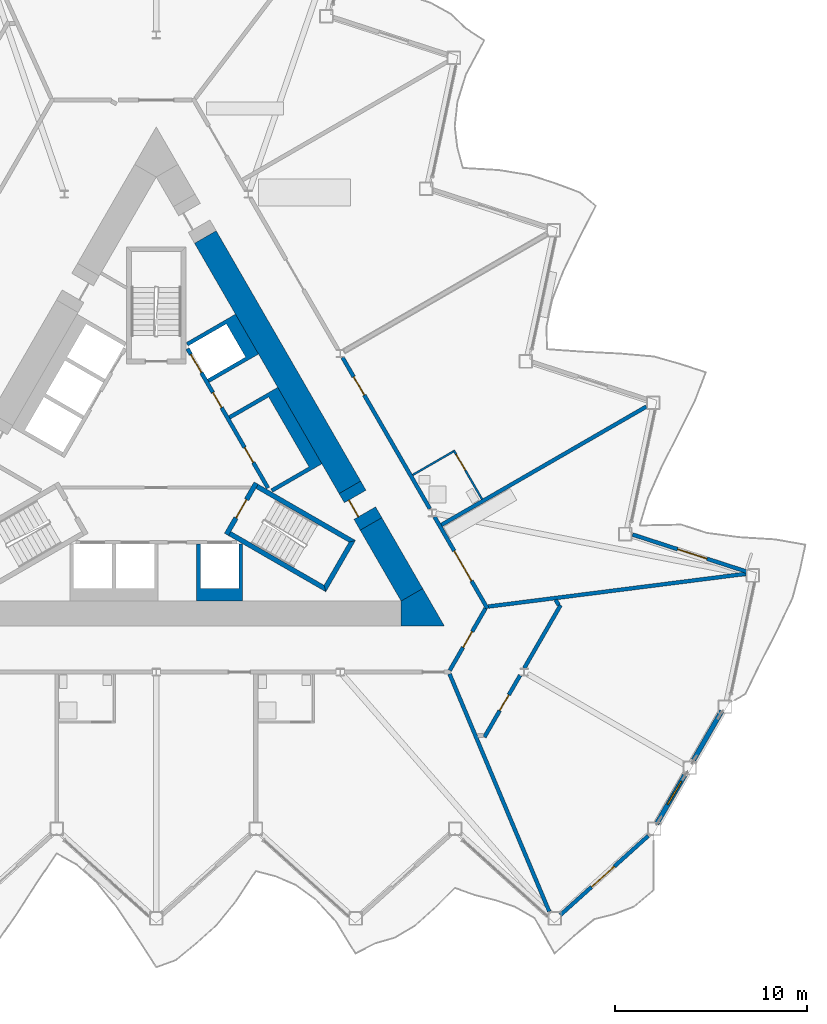
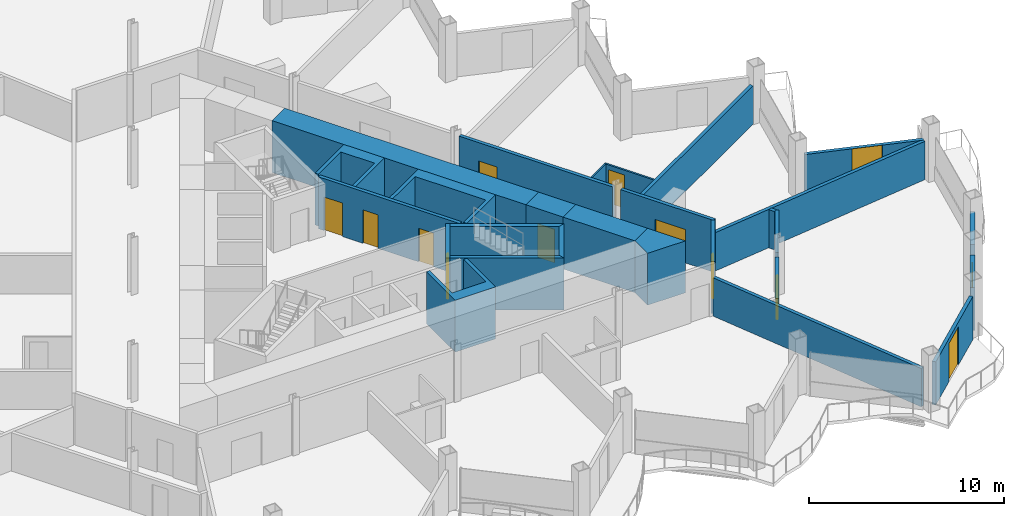
# One storey, part 13 of 23: 27 walls, 12 doors, 1 window, 13 openings.
"""IFC4 building model written with IfcOpenShell, lengths in metres."""

from ifc_helpers import new_model, si_unit, direction, frame, frame_2d, origin, place, context, subcontext, project, spatial, polyline, rectangle, outline, extrude, material, layer, layer_set, type_object, element, fill, save


model = new_model("IFC4")

# Units and contexts
model_context = context("Model", 3, precision=1e-05, world=origin(), true_north=direction((0.0, 1.0)))
body_context = subcontext(model_context, "Body", "Model", "MODEL_VIEW")
ifc_project = project(units=[si_unit("LENGTHUNIT", "METRE"), si_unit("AREAUNIT", "SQUARE_METRE"), si_unit("VOLUMEUNIT", "CUBIC_METRE"), si_unit("PLANEANGLEUNIT", "RADIAN"), si_unit("MASSUNIT", "GRAM", prefix="KILO")], contexts=[model_context])

# Site, building, storey
site_placement = place(None, origin())
site = spatial("IfcSite", under=ifc_project, at=site_placement, CompositionType="ELEMENT")
building_placement = place(site_placement, origin())
building = spatial("IfcBuilding", under=site, at=building_placement, Name="Cormorant Prow Tower", CompositionType="ELEMENT")
storey_placement = place(building_placement, frame((0.0, 0.0, 267.0)))
storey = spatial("IfcBuildingStorey", under=building, at=storey_placement, Name="L60", CompositionType="ELEMENT", Elevation=267.0)

# Walls
ifc_material_1 = material(Name="Concrete 8000 psi", Category="concrete")
ifc_layer_1 = layer(ifc_material_1, 1.300048828125)
ifc_layer_set_1 = layer_set([ifc_layer_1], Name="Concrete 8000 psi")
wall_type_1 = type_object("IfcWallType", Name="Core shear wall 1300", PredefinedType="SHEAR", material=ifc_layer_set_1)
wall_1_placement = place(storey_placement, frame((10.081298828125, -1.440673828125, 0.0), z_axis=(0.0, 0.0, 1.0), x_axis=(-0.500012180433, 0.866018371294, 0.0)))
element("IfcWall", 1, at=wall_1_placement, inside=storey, type_object=wall_type_1, Name="Core wall", PredefinedType="SHEAR", context=body_context, shape_type="SweptSolid", body=[
    extrude(rectangle(XDim=15.05029296875, YDim=1.300048828125, at=frame_2d((7.525146484375, 0.0))), origin(), (0.0, 0.0, 1.0), 3.25),
])
wall_2_placement = place(storey_placement, frame((13.311279296875, -7.035400390625, 0.0), z_axis=(0.0, 0.0, 1.0), x_axis=(-0.500003555838, 0.866023350811, 0.0)))
element("IfcWall", 2, at=wall_2_placement, inside=storey, type_object=wall_type_1, Name="Core wall", PredefinedType="SHEAR", context=body_context, shape_type="SweptSolid", body=[
    extrude(rectangle(XDim=4.26025390625, YDim=1.300048828125, at=frame_2d((2.130126953125, 0.0))), origin(), (0.0, 0.0, 1.0), 3.25),
])
wall_3_placement = place(storey_placement, origin())
element("IfcWall", 3, at=wall_3_placement, inside=storey, type_object=wall_type_1, Name="Core wall corner", PredefinedType="SHEAR", context=body_context, shape_type="SweptSolid", body=[
    extrude(outline(polyline([(12.748291015625, -8.660400390625), (12.748291015625, -7.3603515625), (13.874267578125, -6.710205078125), (15.0, -8.660400390625), (12.748291015625, -8.660400390625)])), origin(), (0.0, 0.0, 1.0), 3.25),
])

# Wall, opening, door
wall_4_placement = place(storey_placement, frame((11.18115234375, -3.345947265625, 0.0), z_axis=(0.0, 0.0, 1.0), x_axis=(-0.499946605688, 0.86605622881, 0.0)))
wall_4 = element("IfcWall", 4, at=wall_4_placement, inside=storey, type_object=wall_type_1, Name="Core wall door panel", PredefinedType="SHEAR", context=body_context, shape_type="SweptSolid", body=[
    extrude(rectangle(XDim=2.199951171875, YDim=1.300048828125, at=frame_2d((1.10009765625, 0.0))), origin(), (0.0, 0.0, 1.0), 3.25),
])
opening_1_placement = place(wall_4_placement, frame((0.64990234375, 0.0, 0.0)))
opening_1 = element("IfcOpeningElement", 5, at=opening_1_placement, cuts=wall_4, Name="Opening L60-C15", PredefinedType="OPENING", context=body_context, shape_type="SweptSolid", body=[
    extrude(rectangle(XDim=1.0, YDim=2.10009765625, at=frame_2d((0.5, 1.050048828125))), frame((0.0, 0.659912109375, 0.0), z_axis=(0.0, -1.0, 0.0), x_axis=(1.0, 0.0, 0.0)), (0.0, 0.0, 1.0), 1.320068359375),
])
ifc_material_2 = material(Name="Painted steel", Category="steel")
door_type_1 = type_object("IfcDoorType", Name="Service door 1000x2100", OperationType="NOTDEFINED", PredefinedType="DOOR", material=ifc_material_2)
door_1_placement = place(opening_1_placement, origin())
door_1 = element("IfcDoor", 6, at=door_1_placement, inside=storey, type_object=door_type_1, Name="Core door, Electrical room", OperationType="SINGLE_SWING_LEFT", OverallHeight=2.10009765625, OverallWidth=1.0, PredefinedType="DOOR", context=body_context, shape_type="SweptSolid", body=[
    extrude(rectangle(XDim=1.0, YDim=2.10009765625, at=frame_2d((0.5, 1.050048828125))), frame((0.0, 0.40478515625, 0.0), z_axis=(0.0, -1.0, 0.0), x_axis=(1.0, 0.0, 0.0)), (0.0, 0.0, 1.0), 0.050048828125),
])
fill(opening_1, door_1)

ifc_material_3 = material(Name="Gypsum board corridor wall")
ifc_layer_2 = layer(ifc_material_3, 0.199951171875)
ifc_layer_set_2 = layer_set([ifc_layer_2], Name="Gypsum board corridor wall")
wall_type_2 = type_object("IfcWallType", Name="Corridor wall 200", PredefinedType="PARTITIONING", material=ifc_layer_set_2)
wall_5_placement = place(storey_placement, frame((9.699462890625, 5.320556640625, 0.0), z_axis=(0.0, 0.0, 1.0), x_axis=(0.49998193945, -0.866035830797, 0.0)))
wall_5 = element("IfcWall", 7, at=wall_5_placement, inside=storey, type_object=wall_type_2, Name="Corridor wall", PredefinedType="PARTITIONING", context=body_context, shape_type="SweptSolid", body=[
    extrude(rectangle(XDim=9.094482421875, YDim=0.199951171875, at=frame_2d((4.54736328125, 0.0))), origin(), (0.0, 0.0, 1.0), 3.25),
])
opening_2_placement = place(wall_5_placement, frame((1.16162109375, 0.0, 0.0)))
opening_2 = element("IfcOpeningElement", 8, at=opening_2_placement, cuts=wall_5, Name="Opening L60-F09", PredefinedType="OPENING", context=body_context, shape_type="SweptSolid", body=[
    extrude(rectangle(XDim=1.10009765625, YDim=2.10009765625, at=frame_2d((0.550048828125, 1.050048828125))), frame((0.0, 0.10986328125, 0.0), z_axis=(0.0, -1.0, 0.0), x_axis=(1.0, 0.0, 0.0)), (0.0, 0.0, 1.0), 0.219970703125),
])
ifc_material_4 = material(Name="Timber door leaf", Category="wood")
door_type_2 = type_object("IfcDoorType", Name="Suite entrance door 1100x2100", OperationType="NOTDEFINED", PredefinedType="DOOR", material=ifc_material_4)
door_2_placement = place(opening_2_placement, origin())
door_2 = element("IfcDoor", 9, at=door_2_placement, inside=storey, type_object=door_type_2, Name="Junior suite door", OperationType="SINGLE_SWING_RIGHT", OverallHeight=2.10009765625, OverallWidth=1.10009765625, PredefinedType="DOOR", context=body_context, shape_type="SweptSolid", body=[
    extrude(rectangle(XDim=1.10009765625, YDim=2.10009765625, at=frame_2d((0.550048828125, 1.050048828125))), frame((0.0, 0.02490234375, 0.0), z_axis=(0.0, -1.0, 0.0), x_axis=(1.0, 0.0, 0.0)), (0.0, 0.0, 1.0), 0.050048828125),
])
fill(opening_2, door_2)

wall_6_placement = place(storey_placement, frame((14.488525390625, -2.974609375, 0.0), z_axis=(0.0, 0.0, 1.0), x_axis=(0.500017753321, -0.866015153657, 0.0)))
wall_6 = element("IfcWall", 10, at=wall_6_placement, inside=storey, type_object=wall_type_2, Name="Corridor wall", PredefinedType="PARTITIONING", context=body_context, shape_type="SweptSolid", body=[
    extrude(rectangle(XDim=5.510498046875, YDim=0.199951171875, at=frame_2d((2.75537109375, 0.0))), origin(), (0.0, 0.0, 1.0), 3.25),
])
opening_3_placement = place(wall_6_placement, frame((2.055908203125, 0.0, 0.0)))
opening_3 = element("IfcOpeningElement", 11, at=opening_3_placement, cuts=wall_6, Name="Opening L60-F08", PredefinedType="OPENING", context=body_context, shape_type="SweptSolid", body=[
    extrude(rectangle(XDim=1.800048828125, YDim=2.10009765625, at=frame_2d((0.89990234375, 1.050048828125))), frame((0.0, 0.10986328125, 0.0), z_axis=(0.0, -1.0, 0.0), x_axis=(1.0, 0.0, 0.0)), (0.0, 0.0, 1.0), 0.219970703125),
])
ifc_material_5 = material(Name="Timber door leaf", Category="wood")
door_type_3 = type_object("IfcDoorType", Name="Double door 1800x2100", OperationType="DOUBLE_DOOR_SINGLE_SWING", PredefinedType="DOOR", material=ifc_material_5)
door_3_placement = place(opening_3_placement, origin())
door_3 = element("IfcDoor", 12, at=door_3_placement, inside=storey, type_object=door_type_3, Name="Fitness room door", OperationType="DOUBLE_DOOR_SINGLE_SWING", OverallHeight=2.10009765625, OverallWidth=1.800048828125, PredefinedType="DOOR", context=body_context, shape_type="SweptSolid", body=[
    extrude(rectangle(XDim=1.800048828125, YDim=2.10009765625, at=frame_2d((0.89990234375, 1.050048828125))), frame((0.0, 0.02490234375, 0.0), z_axis=(0.0, -1.0, 0.0), x_axis=(1.0, 0.0, 0.0)), (0.0, 0.0, 1.0), 0.050048828125),
])
fill(opening_3, door_3)

wall_7_placement = place(storey_placement, frame((15.281005859375, -10.9736328125, 0.0), z_axis=(0.0, 0.0, 1.0), x_axis=(0.499958791762, 0.866049194065, 0.0)))
wall_7 = element("IfcWall", 13, at=wall_7_placement, inside=storey, type_object=wall_type_2, Name="Corridor wall", PredefinedType="PARTITIONING", context=body_context, shape_type="SweptSolid", body=[
    extrude(rectangle(XDim=3.725830078125, YDim=0.199951171875, at=frame_2d((1.86279296875, 0.0))), origin(), (0.0, 0.0, 1.0), 3.25),
])
opening_4_placement = place(wall_7_placement, frame((1.387939453125, 0.0, 0.0)))
opening_4 = element("IfcOpeningElement", 14, at=opening_4_placement, cuts=wall_7, Name="Opening L60-F06", PredefinedType="OPENING", context=body_context, shape_type="SweptSolid", body=[
    extrude(rectangle(XDim=0.949951171875, YDim=2.10009765625, at=frame_2d((0.47509765625, 1.050048828125))), frame((0.0, 0.10986328125, 0.0), z_axis=(0.0, -1.0, 0.0), x_axis=(1.0, 0.0, 0.0)), (0.0, 0.0, 1.0), 0.219970703125),
])
ifc_material_6 = material(Name="Timber door leaf", Category="wood")
door_type_4 = type_object("IfcDoorType", Name="Store door 950x2100", OperationType="NOTDEFINED", PredefinedType="DOOR", material=ifc_material_6)
door_4_placement = place(opening_4_placement, origin())
door_4 = element("IfcDoor", 15, at=door_4_placement, inside=storey, type_object=door_type_4, Name="Housekeeping room door", OperationType="SINGLE_SWING_LEFT", OverallHeight=2.10009765625, OverallWidth=0.949951171875, PredefinedType="DOOR", context=body_context, shape_type="SweptSolid", body=[
    extrude(rectangle(XDim=0.949951171875, YDim=2.10009765625, at=frame_2d((0.47509765625, 1.050048828125))), frame((0.0, 0.02490234375, 0.0), z_axis=(0.0, -1.0, 0.0), x_axis=(1.0, 0.0, 0.0)), (0.0, 0.0, 1.0), 0.050048828125),
])
fill(opening_4, door_4)

# Walls
ifc_material_7 = material(Name="Gypsum board demising wall")
ifc_layer_3 = layer(ifc_material_7, 0.199951171875)
ifc_layer_set_3 = layer_set([ifc_layer_3], Name="Gypsum board demising wall")
wall_type_3 = type_object("IfcWallType", Name="Demising wall 200", PredefinedType="PARTITIONING", material=ifc_layer_set_3)
wall_8_placement = place(storey_placement, frame((17.293212890625, -7.647705078125, 0.0), z_axis=(0.0, 0.0, 1.0), x_axis=(0.992013080374, 0.126135040205, 0.0)))
element("IfcWall", 16, at=wall_8_placement, inside=storey, type_object=wall_type_3, Name="Demising wall", PredefinedType="PARTITIONING", context=body_context, shape_type="SweptSolid", body=[
    extrude(rectangle(XDim=13.517822265625, YDim=0.199951171875, at=frame_2d((6.7587890625, 0.0))), origin(), (0.0, 0.0, 1.0), 2.404296875),
])
wall_9_placement = place(storey_placement, frame((15.26953125, -11.152587890625, 0.0), z_axis=(0.0, 0.0, 1.0), x_axis=(0.386788567553, -0.922168424969, 0.0)))
element("IfcWall", 17, at=wall_9_placement, inside=storey, type_object=wall_type_3, Name="Demising wall", PredefinedType="PARTITIONING", context=body_context, shape_type="SweptSolid", body=[
    extrude(rectangle(XDim=13.418701171875, YDim=0.199951171875, at=frame_2d((6.70947265625, 0.0))), origin(), (0.0, 0.0, 1.0), 2.404296875),
])
wall_10_placement = place(storey_placement, frame((14.84765625, -3.396484375, 0.0), z_axis=(0.0, 0.0, 1.0), x_axis=(0.866026822589, 0.49999754255, 0.0)))
element("IfcWall", 18, at=wall_10_placement, inside=storey, type_object=wall_type_3, Name="Demising wall", PredefinedType="PARTITIONING", context=body_context, shape_type="SweptSolid", body=[
    extrude(rectangle(XDim=12.3173828125, YDim=0.199951171875, at=frame_2d((6.15869140625, 0.0))), origin(), (0.0, 0.0, 1.0), 2.404296875),
])
wall_11_placement = place(storey_placement, frame((19.162353515625, -10.850830078125, 0.0), z_axis=(0.0, 0.0, 1.0), x_axis=(0.500011000363, 0.866019052629, 0.0)))
element("IfcWall", 19, at=wall_11_placement, inside=storey, type_object=wall_type_3, Name="Demising wall", PredefinedType="PARTITIONING", context=body_context, shape_type="SweptSolid", body=[
    extrude(rectangle(XDim=3.7841796875, YDim=0.199951171875, at=frame_2d((1.89208984375, 0.0))), origin(), (0.0, 0.0, 1.0), 2.404296875),
])

# Wall, opening, door
wall_12_placement = place(storey_placement, frame((17.086181640625, -14.447021484375, 0.0), z_axis=(0.0, 0.0, 1.0), x_axis=(0.500004411858, 0.866022856582, 0.0)))
wall_12 = element("IfcWall", 20, at=wall_12_placement, inside=storey, type_object=wall_type_3, Name="Demising wall", PredefinedType="PARTITIONING", context=body_context, shape_type="SweptSolid", body=[
    extrude(rectangle(XDim=3.72265625, YDim=0.199951171875, at=frame_2d((1.861328125, 0.0))), origin(), (0.0, 0.0, 1.0), 2.404296875),
])
opening_5_placement = place(wall_12_placement, frame((1.5927734375, 0.0, 0.0)))
opening_5 = element("IfcOpeningElement", 21, at=opening_5_placement, cuts=wall_12, Name="Opening L60-F07", PredefinedType="OPENING", context=body_context, shape_type="SweptSolid", body=[
    extrude(rectangle(XDim=0.949951171875, YDim=2.10009765625, at=frame_2d((0.47509765625, 1.050048828125))), frame((0.0, 0.10986328125, 0.0), z_axis=(0.0, -1.0, 0.0), x_axis=(1.0, 0.0, 0.0)), (0.0, 0.0, 1.0), 0.219970703125),
])
door_5_placement = place(opening_5_placement, origin())
door_5 = element("IfcDoor", 22, at=door_5_placement, inside=storey, type_object=door_type_4, Name="Linen store door", OperationType="SINGLE_SWING_LEFT", OverallHeight=2.10009765625, OverallWidth=0.949951171875, PredefinedType="DOOR", context=body_context, shape_type="SweptSolid", body=[
    extrude(rectangle(XDim=0.949951171875, YDim=2.10009765625, at=frame_2d((0.47509765625, 1.050048828125))), frame((0.0, 0.02490234375, 0.0), z_axis=(0.0, -1.0, 0.0), x_axis=(1.0, 0.0, 0.0)), (0.0, 0.0, 1.0), 0.050048828125),
])
fill(opening_5, door_5)

# Wall
wall_13_placement = place(storey_placement, frame((20.793701171875, -7.29541015625, 0.0), z_axis=(0.0, 0.0, 1.0), x_axis=(0.499897828833, -0.8660843843, 0.0)))
element("IfcWall", 23, at=wall_13_placement, inside=storey, type_object=wall_type_3, Name="Demising wall", PredefinedType="PARTITIONING", context=body_context, shape_type="SweptSolid", body=[
    extrude(rectangle(XDim=0.3212890625, YDim=0.199951171875, at=frame_2d((0.16064453125, 0.0))), origin(), (0.0, 0.0, 1.0), 2.404296875),
])

# Wall, opening, door
ifc_material_8 = material(Name="Gypsum board partition")
ifc_layer_4 = layer(ifc_material_8, 0.10009765625)
ifc_layer_set_4 = layer_set([ifc_layer_4], Name="Gypsum board partition")
wall_type_4 = type_object("IfcWallType", Name="Internal partition 100", PredefinedType="PARTITIONING", material=ifc_layer_set_4)
wall_14_placement = place(storey_placement, frame((15.48779296875, 0.494873046875, 0.0), z_axis=(0.0, 0.0, 1.0), x_axis=(0.500037662692, -0.866003658127, 0.0)))
wall_14 = element("IfcWall", 24, at=wall_14_placement, inside=storey, type_object=wall_type_4, Name="Internal partition", PredefinedType="PARTITIONING", context=body_context, shape_type="SweptSolid", body=[
    extrude(rectangle(XDim=2.949951171875, YDim=0.10009765625, at=frame_2d((1.47509765625, 0.0))), origin(), (0.0, 0.0, 1.0), 2.404296875),
])
opening_6_placement = place(wall_14_placement, frame((0.25, 0.0, 0.0)))
opening_6 = element("IfcOpeningElement", 25, at=opening_6_placement, cuts=wall_14, Name="Opening L60-F10", PredefinedType="OPENING", context=body_context, shape_type="SweptSolid", body=[
    extrude(rectangle(XDim=0.949951171875, YDim=2.10009765625, at=frame_2d((0.47509765625, 1.050048828125))), frame((0.0, 0.06005859375, 0.0), z_axis=(0.0, -1.0, 0.0), x_axis=(1.0, 0.0, 0.0)), (0.0, 0.0, 1.0), 0.1201171875),
])
ifc_material_9 = material(Name="Timber door leaf", Category="wood")
door_type_5 = type_object("IfcDoorType", Name="Bathroom door 950x2100", OperationType="NOTDEFINED", PredefinedType="DOOR", material=ifc_material_9)
door_6_placement = place(opening_6_placement, origin())
door_6 = element("IfcDoor", 26, at=door_6_placement, inside=storey, type_object=door_type_5, Name="Junior suite door", OperationType="SINGLE_SWING_LEFT", OverallHeight=2.10009765625, OverallWidth=0.949951171875, PredefinedType="DOOR", context=body_context, shape_type="SweptSolid", body=[
    extrude(rectangle(XDim=0.949951171875, YDim=2.10009765625, at=frame_2d((0.47509765625, 1.050048828125))), frame((0.0, 0.02490234375, 0.0), z_axis=(0.0, -1.0, 0.0), x_axis=(1.0, 0.0, 0.0)), (0.0, 0.0, 1.0), 0.050048828125),
])
fill(opening_6, door_6)

# Wall
wall_15_placement = place(storey_placement, frame((13.34765625, -0.798583984375, 0.0), z_axis=(0.0, 0.0, 1.0), x_axis=(0.866014668023, 0.500018594424, 0.0)))
element("IfcWall", 27, at=wall_15_placement, inside=storey, type_object=wall_type_4, Name="Internal partition", PredefinedType="PARTITIONING", context=body_context, shape_type="SweptSolid", body=[
    extrude(rectangle(XDim=2.4501953125, YDim=0.10009765625, at=frame_2d((1.22509765625, 0.0))), origin(), (0.0, 0.0, 1.0), 2.404296875),
])

# Wall, openings, doors
ifc_material_10 = material(Name="Concrete 5000 psi", Category="concrete")
ifc_layer_5 = layer(ifc_material_10, 0.199951171875)
ifc_layer_set_5 = layer_set([ifc_layer_5], Name="Concrete 5000 psi")
wall_type_5 = type_object("IfcWallType", Name="Lift lobby wall 200", PredefinedType="SOLIDWALL", material=ifc_layer_set_5)
wall_16_placement = place(storey_placement, frame((5.817138671875, -1.4755859375, 0.0), z_axis=(0.0, 0.0, 1.0), x_axis=(-0.500002616675, 0.866023893041, 0.0)))
wall_16 = element("IfcWall", 28, at=wall_16_placement, inside=storey, type_object=wall_type_5, Name="Lift lobby wall, ENE block", PredefinedType="SOLIDWALL", context=body_context, shape_type="SweptSolid", body=[
    extrude(rectangle(XDim=8.373046875, YDim=0.199951171875, at=frame_2d((4.1865234375, 0.0))), origin(), (0.0, 0.0, 1.0), 3.25),
])
opening_7_placement = place(wall_16_placement, frame((1.53662109375, 0.0, 0.0)))
opening_7 = element("IfcOpeningElement", 29, at=opening_7_placement, cuts=wall_16, Name="Opening L60-C05", PredefinedType="OPENING", context=body_context, shape_type="SweptSolid", body=[
    extrude(rectangle(XDim=0.89990234375, YDim=2.10009765625, at=frame_2d((0.449951171875, 1.050048828125))), frame((0.0, 0.10986328125, 0.0), z_axis=(0.0, -1.0, 0.0), x_axis=(1.0, 0.0, 0.0)), (0.0, 0.0, 1.0), 0.219970703125),
])
opening_8_placement = place(wall_16_placement, frame((4.836669921875, 0.0, 0.0)))
opening_8 = element("IfcOpeningElement", 30, at=opening_8_placement, cuts=wall_16, Name="Opening L60-C06", PredefinedType="OPENING", context=body_context, shape_type="SweptSolid", body=[
    extrude(rectangle(XDim=0.89990234375, YDim=2.10009765625, at=frame_2d((0.449951171875, 1.050048828125))), frame((0.0, 0.10986328125, 0.0), z_axis=(0.0, -1.0, 0.0), x_axis=(1.0, 0.0, 0.0)), (0.0, 0.0, 1.0), 0.219970703125),
])
opening_9_placement = place(wall_16_placement, frame((6.9365234375, 0.0, 0.0)))
opening_9 = element("IfcOpeningElement", 31, at=opening_9_placement, cuts=wall_16, Name="Opening L60-C07", PredefinedType="OPENING", context=body_context, shape_type="SweptSolid", body=[
    extrude(rectangle(XDim=1.10009765625, YDim=2.10009765625, at=frame_2d((0.550048828125, 1.050048828125))), frame((0.0, 0.10986328125, 0.0), z_axis=(0.0, -1.0, 0.0), x_axis=(1.0, 0.0, 0.0)), (0.0, 0.0, 1.0), 0.219970703125),
])
ifc_material_11 = material(Name="Painted steel", Category="steel")
door_type_6 = type_object("IfcDoorType", Name="Lift landing door 1100x2100", OperationType="SLIDING_TO_LEFT", PredefinedType="DOOR", material=ifc_material_11)
door_7_placement = place(opening_9_placement, origin())
door_7 = element("IfcDoor", 32, at=door_7_placement, inside=storey, type_object=door_type_6, Name="Landing door MR1", OperationType="SLIDING_TO_LEFT", OverallHeight=2.10009765625, OverallWidth=1.10009765625, PredefinedType="DOOR", context=body_context, shape_type="SweptSolid", body=[
    extrude(rectangle(XDim=1.10009765625, YDim=2.10009765625, at=frame_2d((0.550048828125, 1.050048828125))), frame((0.0, 0.02490234375, 0.0), z_axis=(0.0, -1.0, 0.0), x_axis=(1.0, 0.0, 0.0)), (0.0, 0.0, 1.0), 0.050048828125),
])
fill(opening_9, door_7)
ifc_material_12 = material(Name="Painted steel", Category="steel")
door_type_7 = type_object("IfcDoorType", Name="Service door 900x2100", OperationType="NOTDEFINED", PredefinedType="DOOR", material=ifc_material_12)
door_8_placement = place(opening_7_placement, origin())
door_8 = element("IfcDoor", 33, at=door_8_placement, inside=storey, type_object=door_type_7, Name="Service door, Telecom room", OperationType="SINGLE_SWING_LEFT", OverallHeight=2.10009765625, OverallWidth=0.89990234375, PredefinedType="DOOR", context=body_context, shape_type="SweptSolid", body=[
    extrude(rectangle(XDim=0.89990234375, YDim=2.10009765625, at=frame_2d((0.449951171875, 1.050048828125))), frame((0.0, 0.02490234375, 0.0), z_axis=(0.0, -1.0, 0.0), x_axis=(1.0, 0.0, 0.0)), (0.0, 0.0, 1.0), 0.050048828125),
])
fill(opening_7, door_8)
door_9_placement = place(opening_8_placement, origin())
door_9 = element("IfcDoor", 34, at=door_9_placement, inside=storey, type_object=door_type_7, Name="Service door, Electrical room", OperationType="SINGLE_SWING_RIGHT", OverallHeight=2.10009765625, OverallWidth=0.89990234375, PredefinedType="DOOR", context=body_context, shape_type="SweptSolid", body=[
    extrude(rectangle(XDim=0.89990234375, YDim=2.10009765625, at=frame_2d((0.449951171875, 1.050048828125))), frame((0.0, 0.02490234375, 0.0), z_axis=(0.0, -1.0, 0.0), x_axis=(1.0, 0.0, 0.0)), (0.0, 0.0, 1.0), 0.050048828125),
])
fill(opening_8, door_9)

# Walls
ifc_material_13 = material(Name="Concrete 8000 psi", Category="concrete")
ifc_layer_6 = layer(ifc_material_13, 0.199951171875)
ifc_layer_set_6 = layer_set([ifc_layer_6], Name="Concrete 8000 psi")
wall_type_6 = type_object("IfcWallType", Name="Lift shaft wall 200", PredefinedType="SHEAR", material=ifc_layer_set_6)
wall_17_placement = place(storey_placement, origin())
element("IfcWall", 35, at=wall_17_placement, inside=storey, type_object=wall_type_6, Name="Lift shaft walls, S block", PredefinedType="SHEAR", context=body_context, shape_type="SweptSolid", body=[
    extrude(outline(polyline([(2.10009765625, -7.3603515625), (2.10009765625, -4.39990234375), (2.300048828125, -4.39990234375), (2.300048828125, -6.699951171875), (4.300048828125, -6.699951171875), (4.300048828125, -4.39990234375), (4.5, -4.39990234375), (4.5, -7.3603515625), (2.10009765625, -7.3603515625)])), origin(), (0.0, 0.0, 1.0), 3.25),
])
wall_18_placement = place(storey_placement, origin())
element("IfcWall", 36, at=wall_18_placement, inside=storey, type_object=wall_type_6, Name="Lift shaft walls, ENE block", PredefinedType="SHEAR", context=body_context, shape_type="SweptSolid", body=[
    extrude(outline(polyline([(6.32421875, 3.7666015625), (8.624267578125, -0.217041015625), (8.230712890625, -0.444091796875), (6.060546875, -1.697021484375), (5.96044921875, -1.52392578125), (7.952392578125, -0.373779296875), (5.852294921875, 3.263427734375), (3.860595703125, 2.11328125), (3.760498046875, 2.28662109375), (5.930908203125, 3.53955078125), (6.32421875, 3.7666015625)])), origin(), (0.0, 0.0, 1.0), 3.25),
])
wall_19_placement = place(storey_placement, origin())
element("IfcWall", 37, at=wall_19_placement, inside=storey, type_object=wall_type_6, Name="Lift shaft walls, ENE block", PredefinedType="SHEAR", context=body_context, shape_type="SweptSolid", body=[
    extrude(outline(polyline([(5.32421875, 5.498779296875), (4.930908203125, 5.271728515625), (2.760498046875, 4.018798828125), (2.660400390625, 4.19189453125), (4.65234375, 5.341796875), (3.65234375, 7.073974609375), (1.660400390625, 5.923828125), (1.560546875, 6.09716796875), (3.730712890625, 7.35009765625), (4.124267578125, 7.5771484375), (5.32421875, 5.498779296875)])), origin(), (0.0, 0.0, 1.0), 3.25),
])
ifc_material_14 = material(Name="Concrete 8000 psi", Category="concrete")
ifc_layer_7 = layer(ifc_material_14, 0.25)
ifc_layer_set_7 = layer_set([ifc_layer_7], Name="Concrete 8000 psi")
wall_type_7 = type_object("IfcWallType", Name="Stair wall 250", PredefinedType="SHEAR", material=ifc_layer_set_7)
wall_20_placement = place(storey_placement, origin())
element("IfcWall", 38, at=wall_20_placement, inside=storey, type_object=wall_type_7, Name="Stair ST2 enclosure wall (flank)", PredefinedType="SHEAR", context=body_context, shape_type="SweptSolid", body=[
    extrude(outline(polyline([(3.76318359375, -3.95556640625), (8.82958984375, -6.880615234375), (8.738037109375, -6.5390625), (3.88818359375, -3.739013671875), (3.76318359375, -3.95556640625)])), origin(), (0.0, 0.0, 1.0), 3.25),
])
wall_21_placement = place(storey_placement, origin())
element("IfcWall", 39, at=wall_21_placement, inside=storey, type_object=wall_type_7, Name="Stair ST2 enclosure wall (end)", PredefinedType="SHEAR", context=body_context, shape_type="SweptSolid", body=[
    extrude(outline(polyline([(8.82958984375, -6.880615234375), (10.37353515625, -4.206298828125), (10.031982421875, -4.2978515625), (8.738037109375, -6.5390625), (8.82958984375, -6.880615234375)])), origin(), (0.0, 0.0, 1.0), 3.25),
])
wall_22_placement = place(storey_placement, origin())
element("IfcWall", 40, at=wall_22_placement, inside=storey, type_object=wall_type_7, Name="Stair ST2 enclosure wall (flank)", PredefinedType="SHEAR", context=body_context, shape_type="SweptSolid", body=[
    extrude(outline(polyline([(10.031982421875, -4.2978515625), (10.37353515625, -4.206298828125), (5.30712890625, -1.28125), (5.18212890625, -1.497802734375), (10.031982421875, -4.2978515625)])), origin(), (0.0, 0.0, 1.0), 3.25),
])

# Wall, opening, door
wall_23_placement = place(storey_placement, frame((3.655029296875, -3.89306640625, 0.0), z_axis=(0.0, 0.0, 1.0), x_axis=(0.499982516597, 0.866035497597, 0.0)))
wall_23 = element("IfcWall", 41, at=wall_23_placement, inside=storey, type_object=wall_type_7, Name="Stair ST2 door wall", PredefinedType="SHEAR", context=body_context, shape_type="SweptSolid", body=[
    extrude(rectangle(XDim=3.087890625, YDim=0.25, at=frame_2d((1.5439453125, 0.0))), origin(), (0.0, 0.0, 1.0), 3.25),
])
opening_10_placement = place(wall_23_placement, frame((0.993896484375, 0.0, 0.0)))
opening_10 = element("IfcOpeningElement", 42, at=opening_10_placement, cuts=wall_23, Name="Opening L60-C12", PredefinedType="OPENING", context=body_context, shape_type="SweptSolid", body=[
    extrude(rectangle(XDim=1.10009765625, YDim=2.10009765625, at=frame_2d((0.550048828125, 1.050048828125))), frame((0.0, 0.135009765625, 0.0), z_axis=(0.0, -1.0, 0.0), x_axis=(1.0, 0.0, 0.0)), (0.0, 0.0, 1.0), 0.27001953125),
])
ifc_material_15 = material(Name="Painted steel", Category="steel")
door_type_8 = type_object("IfcDoorType", Name="Stair door 1100x2100", OperationType="NOTDEFINED", PredefinedType="DOOR", material=ifc_material_15)
door_10_placement = place(opening_10_placement, origin())
door_10 = element("IfcDoor", 43, at=door_10_placement, inside=storey, type_object=door_type_8, Name="Stair ST2 door", OperationType="SINGLE_SWING_RIGHT", OverallHeight=2.10009765625, OverallWidth=1.10009765625, PredefinedType="DOOR", context=body_context, shape_type="SweptSolid", body=[
    extrude(rectangle(XDim=1.10009765625, YDim=2.10009765625, at=frame_2d((0.550048828125, 1.050048828125))), frame((0.0, 0.02490234375, 0.0), z_axis=(0.0, -1.0, 0.0), x_axis=(1.0, 0.0, 0.0)), (0.0, 0.0, 1.0), 0.050048828125),
])
fill(opening_10, door_10)

# Wall, opening, window
ifc_material_16 = material(Name="Terracotta", Category="masonry")
ifc_layer_8 = layer(ifc_material_16, 0.25)
ifc_layer_set_8 = layer_set([ifc_layer_8], Name="Terracotta")
wall_type_8 = type_object("IfcWallType", Name="Terracotta bay wall 250", PredefinedType="SOLIDWALL", material=ifc_layer_set_8)
wall_24_placement = place(storey_placement, frame((26.0556640625, -18.9599609375, 0.0), z_axis=(0.0, 0.0, 1.0), x_axis=(0.499949632511, 0.866054481515, 0.0)))
wall_24 = element("IfcWall", 44, at=wall_24_placement, inside=storey, type_object=wall_type_8, Name="Terracotta bay wall ESE00", PredefinedType="SOLIDWALL", context=body_context, shape_type="SweptSolid", body=[
    extrude(rectangle(XDim=2.914794921875, YDim=0.25, at=frame_2d((1.45751953125, 0.0))), origin(), (0.0, 0.0, 1.0), 2.700927734375),
])
opening_11_placement = place(wall_24_placement, frame((1.14990234375, 0.0, 1.89990234375)))
opening_11 = element("IfcOpeningElement", 45, at=opening_11_placement, cuts=wall_24, Name="Opening WN6", PredefinedType="OPENING", context=body_context, shape_type="SweptSolid", body=[
    extrude(rectangle(XDim=1.39990234375, YDim=0.60009765625, at=frame_2d((0.699951171875, 0.300048828125))), frame((0.0, 0.135009765625, 0.0), z_axis=(0.0, -1.0, 0.0), x_axis=(1.0, 0.0, 0.0)), (0.0, 0.0, 1.0), 0.27001953125),
])
ifc_material_17 = material(Name="Aluminium 6063-T6", Category="aluminium")
window_type = type_object("IfcWindowType", Name="Corner bay window 1400x600", PartitioningType="SINGLE_PANEL", PredefinedType="WINDOW", material=ifc_material_17)
window_placement = place(opening_11_placement, origin())
window = element("IfcWindow", 46, at=window_placement, inside=storey, type_object=window_type, Name="Corner bay window ESE00", OverallHeight=0.60009765625, OverallWidth=1.39990234375, PartitioningType="SINGLE_PANEL", PredefinedType="WINDOW", context=body_context, shape_type="SweptSolid", body=[
    extrude(rectangle(XDim=1.39990234375, YDim=0.60009765625, at=frame_2d((0.699951171875, 0.300048828125))), frame((0.0, 0.030029296875, 0.0), z_axis=(0.0, -1.0, 0.0), x_axis=(1.0, 0.0, 0.0)), (0.0, 0.0, 1.0), 0.06005859375),
])
fill(opening_11, window)

# Wall
wall_25_placement = place(storey_placement, frame((27.974365234375, -15.63671875, 0.0), z_axis=(0.0, 0.0, 1.0), x_axis=(0.499971101808, 0.86604208752, 0.0)))
element("IfcWall", 47, at=wall_25_placement, inside=storey, type_object=wall_type_8, Name="Terracotta bay wall ESE01", PredefinedType="SOLIDWALL", context=body_context, shape_type="SweptSolid", body=[
    extrude(rectangle(XDim=2.946533203125, YDim=0.25, at=frame_2d((1.47314453125, 0.0))), origin(), (0.0, 0.0, 1.0), 2.700927734375),
])

# Wall, opening, door
ifc_material_18 = material(Name="Terracotta", Category="masonry")
ifc_layer_9 = layer(ifc_material_18, 0.199951171875)
ifc_layer_set_9 = layer_set([ifc_layer_9], Name="Terracotta")
wall_type_9 = type_object("IfcWallType", Name="Terracotta jamb wall 200", PredefinedType="SOLIDWALL", material=ifc_layer_set_9)
wall_26_placement = place(storey_placement, frame((21.0361328125, -23.713134765625, 0.0), z_axis=(0.0, 0.0, 1.0), x_axis=(0.743142515738, 0.669133171575, 0.0)))
wall_26 = element("IfcWall", 48, at=wall_26_placement, inside=storey, type_object=wall_type_9, Name="Terracotta jamb wall S09", PredefinedType="SOLIDWALL", context=body_context, shape_type="SweptSolid", body=[
    extrude(rectangle(XDim=6.16552734375, YDim=0.199951171875, at=frame_2d((3.082763671875, 0.0))), origin(), (0.0, 0.0, 1.0), 2.700927734375),
])
opening_12_placement = place(wall_26_placement, frame((2.18603515625, 0.0, 0.0)))
opening_12 = element("IfcOpeningElement", 49, at=opening_12_placement, cuts=wall_26, Name="Opening ED60.05", PredefinedType="OPENING", context=body_context, shape_type="SweptSolid", body=[
    extrude(rectangle(XDim=1.60009765625, YDim=2.39990234375, at=frame_2d((0.800048828125, 1.199951171875))), frame((0.0, 0.10986328125, 0.0), z_axis=(0.0, -1.0, 0.0), x_axis=(1.0, 0.0, 0.0)), (0.0, 0.0, 1.0), 0.219970703125),
])
ifc_material_19 = material(Name="Aluminium 6063-T6", Category="aluminium")
door_type_9 = type_object("IfcDoorType", Name="Balcony door 1600x2400", OperationType="DOUBLE_DOOR_SINGLE_SWING", PredefinedType="DOOR", material=ifc_material_19)
door_11_placement = place(opening_12_placement, origin())
door_11 = element("IfcDoor", 50, at=door_11_placement, inside=storey, type_object=door_type_9, Name="Balcony door S09 ED60.05", OperationType="DOUBLE_DOOR_SINGLE_SWING", OverallHeight=2.39990234375, OverallWidth=1.60009765625, PredefinedType="DOOR", context=body_context, shape_type="SweptSolid", body=[
    extrude(rectangle(XDim=1.60009765625, YDim=2.39990234375, at=frame_2d((0.800048828125, 1.199951171875))), frame((0.0, 0.02490234375, 0.0), z_axis=(0.0, -1.0, 0.0), x_axis=(1.0, 0.0, 0.0)), (0.0, 0.0, 1.0), 0.050048828125),
])
fill(opening_12, door_11)

wall_27_placement = place(storey_placement, frame((30.7490234375, -5.832275390625, 0.0), z_axis=(0.0, 0.0, 1.0), x_axis=(-0.95105557136, 0.309019902571, 0.0)))
wall_27 = element("IfcWall", 51, at=wall_27_placement, inside=storey, type_object=wall_type_9, Name="Terracotta jamb wall ENE01", PredefinedType="SOLIDWALL", context=body_context, shape_type="SweptSolid", body=[
    extrude(rectangle(XDim=6.257080078125, YDim=0.199951171875, at=frame_2d((3.12841796875, 0.0))), origin(), (0.0, 0.0, 1.0), 2.404296875),
])
opening_13_placement = place(wall_27_placement, frame((2.18603515625, 0.0, 0.0)))
opening_13 = element("IfcOpeningElement", 52, at=opening_13_placement, cuts=wall_27, Name="Opening ED60.06", PredefinedType="OPENING", context=body_context, shape_type="SweptSolid", body=[
    extrude(rectangle(XDim=1.60009765625, YDim=2.39990234375, at=frame_2d((0.800048828125, 1.199951171875))), frame((0.0, 0.10986328125, 0.0), z_axis=(0.0, -1.0, 0.0), x_axis=(1.0, 0.0, 0.0)), (0.0, 0.0, 1.0), 0.219970703125),
])
door_12_placement = place(opening_13_placement, origin())
door_12 = element("IfcDoor", 53, at=door_12_placement, inside=storey, type_object=door_type_9, Name="Balcony door ENE01 ED60.06", OperationType="DOUBLE_DOOR_SINGLE_SWING", OverallHeight=2.39990234375, OverallWidth=1.60009765625, PredefinedType="DOOR", context=body_context, shape_type="SweptSolid", body=[
    extrude(rectangle(XDim=1.60009765625, YDim=2.39990234375, at=frame_2d((0.800048828125, 1.199951171875))), frame((0.0, 0.02490234375, 0.0), z_axis=(0.0, -1.0, 0.0), x_axis=(1.0, 0.0, 0.0)), (0.0, 0.0, 1.0), 0.050048828125),
])
fill(opening_13, door_12)

save(model, "model.ifc")
